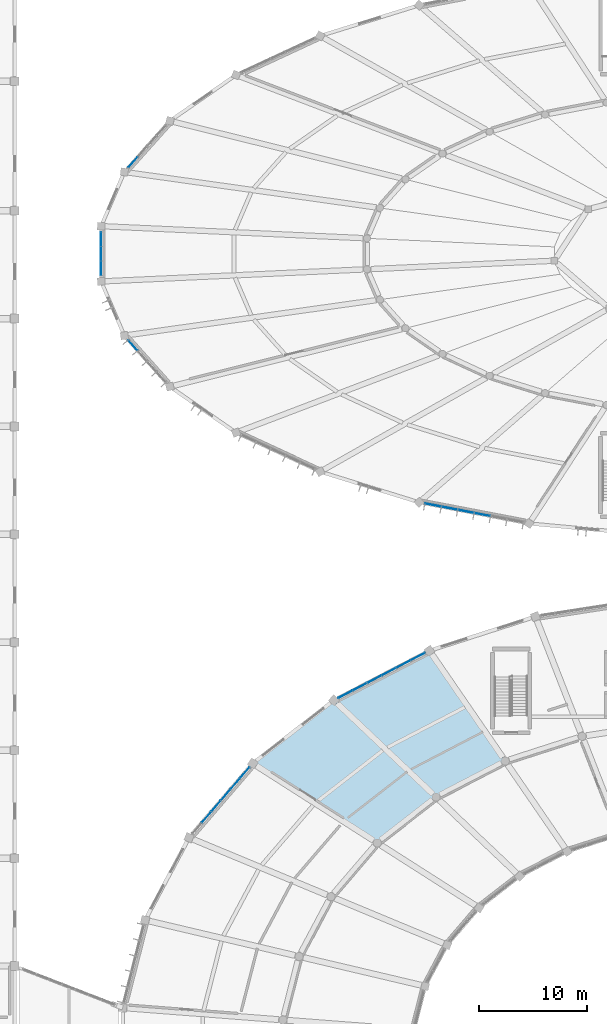
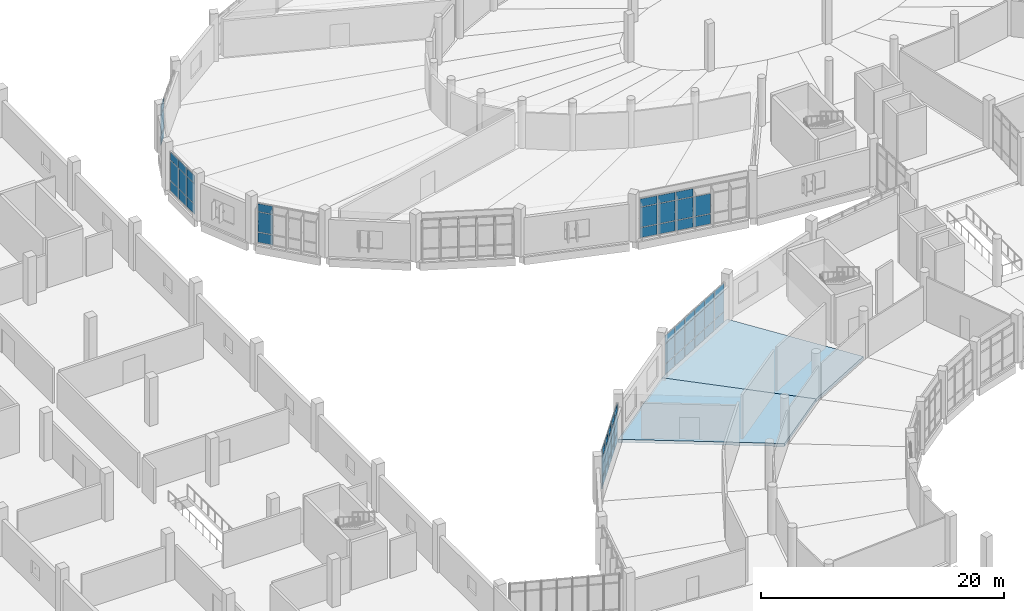
# One storey, part 92 of 179: 59 plates, 2 slabs, 6 elements without a shape of their own.
"""IFC4 building model written with IfcOpenShell, lengths in metres."""

from ifc_helpers import new_model, si_unit, direction, frame, origin, origin_2d, place, context, subcontext, project, spatial, polyline, rectangle, outline, extrude, material, layer, layer_set, type_object, element, aggregate, save


model = new_model("IFC4")

# Units and contexts
model_context = context("Model", 3, precision=1e-05, world=origin(), true_north=direction((0.0, 1.0)))
body_context = subcontext(model_context, "Body", "Model", "MODEL_VIEW")
ifc_project = project(units=[si_unit("LENGTHUNIT", "METRE"), si_unit("AREAUNIT", "SQUARE_METRE"), si_unit("VOLUMEUNIT", "CUBIC_METRE"), si_unit("PLANEANGLEUNIT", "RADIAN"), si_unit("MASSUNIT", "GRAM", prefix="KILO")], contexts=[model_context])

# Site, building, storey
site_placement = place(None, origin())
site = spatial("IfcSite", under=ifc_project, at=site_placement, CompositionType="ELEMENT")
building_placement = place(site_placement, origin())
building = spatial("IfcBuilding", under=site, at=building_placement, Name="Corvandel Quay Wholesale Market", CompositionType="ELEMENT")
storey_placement = place(building_placement, frame((0.0, 0.0, 6.0)))
storey = spatial("IfcBuildingStorey", under=building, at=storey_placement, Name="L01", CompositionType="ELEMENT", Elevation=6.0)

# Curtain wall, plates
ifc_material_1 = material(Name="Bronze anodised aluminium and low-E insulated glazing", Category="aluminium")
ifc_layer_1 = layer(ifc_material_1, 0.14990234375)
ifc_layer_set_1 = layer_set([ifc_layer_1], Name="Bronze anodised aluminium and low-E insulated glazing")
curtain_wall_type_1 = type_object("IfcCurtainWallType", Name="Stick Curtain Wall System CW15 H4350", PredefinedType="NOTDEFINED", material=ifc_layer_set_1)
curtain_wall_1_placement = place(storey_placement, origin())
curtain_wall_1 = element("IfcCurtainWall", 1, at=curtain_wall_1_placement, inside=storey, type_object=curtain_wall_type_1, Name="Curtain Wall CW-0031", PredefinedType="NOTDEFINED")
ifc_material_2 = material(Name="Solar-control low-E insulated glazing", Category="glass")
ifc_layer_2 = layer(ifc_material_2, 0.0400390625)
ifc_layer_set_2 = layer_set([ifc_layer_2], Name="Solar-control low-E insulated glazing")
plate_type_1 = type_object("IfcPlateType", Name="Ceramic Fritted Spandrel Panel PN03 40mm", PredefinedType="CURTAIN_PANEL", material=ifc_layer_set_2)
plate_1_placement = place(storey_placement, frame((87.351318359375, 78.6640625, 3.1298828125), z_axis=(0.0, 0.0, 1.0), x_axis=(0.887332978338, 0.461129250378, 0.0)))
plate_1 = element("IfcPlate", 2, at=plate_1_placement, type_object=plate_type_1, Name="Glazing Panel CW-0031-P00-2", PredefinedType="CURTAIN_PANEL", context=body_context, shape_type="SweptSolid", body=[
    extrude(rectangle(XDim=1.4462890625, YDim=0.0400390625, at=origin_2d()), origin(), (0.0, 0.0, 1.0), 0.7900390625),
])
plate_2_placement = place(storey_placement, frame((86.01025390625, 77.96728515625, 3.1298828125), z_axis=(0.0, 0.0, 1.0), x_axis=(0.887332978338, 0.461129250378, 0.0)))
plate_2 = element("IfcPlate", 3, at=plate_2_placement, type_object=plate_type_1, Name="Glazing Panel CW-0031-P01-2", PredefinedType="CURTAIN_PANEL", context=body_context, shape_type="SweptSolid", body=[
    extrude(rectangle(XDim=1.4462890625, YDim=0.0400390625, at=origin_2d()), origin(), (0.0, 0.0, 1.0), 0.7900390625),
])
plate_3_placement = place(storey_placement, frame((84.66943359375, 77.2705078125, 3.1298828125), z_axis=(0.0, 0.0, 1.0), x_axis=(0.887332978338, 0.461129250378, 0.0)))
plate_3 = element("IfcPlate", 4, at=plate_3_placement, type_object=plate_type_1, Name="Glazing Panel CW-0031-P02-2", PredefinedType="CURTAIN_PANEL", context=body_context, shape_type="SweptSolid", body=[
    extrude(rectangle(XDim=1.4462890625, YDim=0.0400390625, at=origin_2d()), origin(), (0.0, 0.0, 1.0), 0.7900390625),
])
plate_4_placement = place(storey_placement, frame((83.32861328125, 76.573486328125, 3.1298828125), z_axis=(0.0, 0.0, 1.0), x_axis=(0.887332978338, 0.461129250378, 0.0)))
plate_4 = element("IfcPlate", 5, at=plate_4_placement, type_object=plate_type_1, Name="Glazing Panel CW-0031-P03-2", PredefinedType="CURTAIN_PANEL", context=body_context, shape_type="SweptSolid", body=[
    extrude(rectangle(XDim=1.4462890625, YDim=0.0400390625, at=origin_2d()), origin(), (0.0, 0.0, 1.0), 0.7900390625),
])
plate_5_placement = place(storey_placement, frame((81.98779296875, 75.876708984375, 3.1298828125), z_axis=(0.0, 0.0, 1.0), x_axis=(0.887332978338, 0.461129250378, 0.0)))
plate_5 = element("IfcPlate", 6, at=plate_5_placement, type_object=plate_type_1, Name="Glazing Panel CW-0031-P04-2", PredefinedType="CURTAIN_PANEL", context=body_context, shape_type="SweptSolid", body=[
    extrude(rectangle(XDim=1.4462890625, YDim=0.0400390625, at=origin_2d()), origin(), (0.0, 0.0, 1.0), 0.7900390625),
])
plate_6_placement = place(storey_placement, frame((80.646728515625, 75.179931640625, 3.1298828125), z_axis=(0.0, 0.0, 1.0), x_axis=(0.887332978338, 0.461129250378, 0.0)))
plate_6 = element("IfcPlate", 7, at=plate_6_placement, type_object=plate_type_1, Name="Glazing Panel CW-0031-P05-2", PredefinedType="CURTAIN_PANEL", context=body_context, shape_type="SweptSolid", body=[
    extrude(rectangle(XDim=1.4462890625, YDim=0.0400390625, at=origin_2d()), origin(), (0.0, 0.0, 1.0), 0.7900390625),
])

ifc_layer_3 = layer(ifc_material_1, 0.174072265625)
ifc_layer_set_3 = layer_set([ifc_layer_3], Name="Bronze anodised aluminium and low-E insulated glazing")
curtain_wall_type_2 = type_object("IfcCurtainWallType", Name="Stick Curtain Wall System CW17 H4530", PredefinedType="NOTDEFINED", material=ifc_layer_set_3)
curtain_wall_2_placement = place(storey_placement, origin())
curtain_wall_2 = element("IfcCurtainWall", 8, at=curtain_wall_2_placement, inside=storey, type_object=curtain_wall_type_2, Name="Curtain Wall CW-0036", PredefinedType="NOTDEFINED")
plate_7_placement = place(storey_placement, frame((71.318115234375, 67.915283203125, 3.1298828125), z_axis=(0.0, 0.0, 1.0), x_axis=(0.651568967347, 0.758589401976, 0.0)))
plate_7 = element("IfcPlate", 9, at=plate_7_placement, type_object=plate_type_1, Name="Glazing Panel CW-0036-P00-2", PredefinedType="CURTAIN_PANEL", context=body_context, shape_type="SweptSolid", body=[
    extrude(rectangle(XDim=1.29638671875, YDim=0.0400390625, at=origin_2d()), origin(), (0.0, 0.0, 1.0), 0.7900390625),
])
plate_8_placement = place(storey_placement, frame((70.43115234375, 66.882568359375, 3.1298828125), z_axis=(0.0, 0.0, 1.0), x_axis=(0.651568967347, 0.758589401976, 0.0)))
plate_8 = element("IfcPlate", 10, at=plate_8_placement, type_object=plate_type_1, Name="Glazing Panel CW-0036-P01-2", PredefinedType="CURTAIN_PANEL", context=body_context, shape_type="SweptSolid", body=[
    extrude(rectangle(XDim=1.29638671875, YDim=0.0400390625, at=origin_2d()), origin(), (0.0, 0.0, 1.0), 0.7900390625),
])
plate_9_placement = place(storey_placement, frame((69.5439453125, 65.849853515625, 3.1298828125), z_axis=(0.0, 0.0, 1.0), x_axis=(0.651568967347, 0.758589401976, 0.0)))
plate_9 = element("IfcPlate", 11, at=plate_9_placement, type_object=plate_type_1, Name="Glazing Panel CW-0036-P02-2", PredefinedType="CURTAIN_PANEL", context=body_context, shape_type="SweptSolid", body=[
    extrude(rectangle(XDim=1.29638671875, YDim=0.0400390625, at=origin_2d()), origin(), (0.0, 0.0, 1.0), 0.7900390625),
])
plate_10_placement = place(storey_placement, frame((68.656982421875, 64.817138671875, 3.1298828125), z_axis=(0.0, 0.0, 1.0), x_axis=(0.651568967347, 0.758589401976, 0.0)))
plate_10 = element("IfcPlate", 12, at=plate_10_placement, type_object=plate_type_1, Name="Glazing Panel CW-0036-P03-2", PredefinedType="CURTAIN_PANEL", context=body_context, shape_type="SweptSolid", body=[
    extrude(rectangle(XDim=1.29638671875, YDim=0.0400390625, at=origin_2d()), origin(), (0.0, 0.0, 1.0), 0.7900390625),
])
plate_11_placement = place(storey_placement, frame((67.769775390625, 63.784423828125, 3.1298828125), z_axis=(0.0, 0.0, 1.0), x_axis=(0.651568967347, 0.758589401976, 0.0)))
plate_11 = element("IfcPlate", 13, at=plate_11_placement, type_object=plate_type_1, Name="Glazing Panel CW-0036-P04-2", PredefinedType="CURTAIN_PANEL", context=body_context, shape_type="SweptSolid", body=[
    extrude(rectangle(XDim=1.29638671875, YDim=0.0400390625, at=origin_2d()), origin(), (0.0, 0.0, 1.0), 0.7900390625),
])

# Curtain wall, plate
ifc_layer_4 = layer(ifc_material_1, 0.14990234375)
ifc_layer_set_4 = layer_set([ifc_layer_4], Name="Bronze anodised aluminium and low-E insulated glazing")
curtain_wall_type_3 = type_object("IfcCurtainWallType", Name="Stick Curtain Wall System CW20 H4800", PredefinedType="NOTDEFINED", material=ifc_layer_set_4)
curtain_wall_3_placement = place(storey_placement, origin())
curtain_wall_3 = element("IfcCurtainWall", 14, at=curtain_wall_3_placement, inside=storey, type_object=curtain_wall_type_3, Name="Curtain Wall CW-0102", PredefinedType="NOTDEFINED")
plate_12_placement = place(storey_placement, frame((60.94921875, 124.477783203125, 3.1298828125), z_axis=(0.0, 0.0, 1.0), x_axis=(0.665621202286, 0.746289766155, 0.0)))
plate_12 = element("IfcPlate", 15, at=plate_12_placement, type_object=plate_type_1, Name="Glazing Panel CW-0102-P03-2", PredefinedType="CURTAIN_PANEL", context=body_context, shape_type="SweptSolid", body=[
    extrude(rectangle(XDim=1.250244140625, YDim=0.0400390625, at=origin_2d()), origin(), (0.0, 0.0, 1.0), 0.7900390625),
])

# Curtain wall, plates
ifc_layer_5 = layer(ifc_material_1, 0.174072265625)
ifc_layer_set_5 = layer_set([ifc_layer_5], Name="Bronze anodised aluminium and low-E insulated glazing")
curtain_wall_type_4 = type_object("IfcCurtainWallType", Name="Stick Curtain Wall System CW22 H4980", PredefinedType="NOTDEFINED", material=ifc_layer_set_5)
curtain_wall_4_placement = place(storey_placement, origin())
curtain_wall_4 = element("IfcCurtainWall", 16, at=curtain_wall_4_placement, inside=storey, type_object=curtain_wall_type_4, Name="Curtain Wall CW-0104", PredefinedType="NOTDEFINED")
plate_13_placement = place(storey_placement, frame((58.0, 117.347412109375, 3.1298828125), z_axis=(0.0, 0.0, 1.0), x_axis=(0.0, 1.0, 0.0)))
plate_13 = element("IfcPlate", 17, at=plate_13_placement, type_object=plate_type_1, Name="Glazing Panel CW-0104-P00-2", PredefinedType="CURTAIN_PANEL", context=body_context, shape_type="SweptSolid", body=[
    extrude(rectangle(XDim=1.2822265625, YDim=0.0400390625, at=origin_2d()), origin(), (0.0, 0.0, 1.0), 0.7900390625),
])
plate_14_placement = place(storey_placement, frame((58.0, 116.0, 3.1298828125), z_axis=(0.0, 0.0, 1.0), x_axis=(0.0, 1.0, 0.0)))
plate_14 = element("IfcPlate", 18, at=plate_14_placement, type_object=plate_type_1, Name="Glazing Panel CW-0104-P01-2", PredefinedType="CURTAIN_PANEL", context=body_context, shape_type="SweptSolid", body=[
    extrude(rectangle(XDim=1.2822265625, YDim=0.0400390625, at=origin_2d()), origin(), (0.0, 0.0, 1.0), 0.7900390625),
])
plate_15_placement = place(storey_placement, frame((58.0, 114.652587890625, 3.1298828125), z_axis=(0.0, 0.0, 1.0), x_axis=(0.0, 1.0, 0.0)))
plate_15 = element("IfcPlate", 19, at=plate_15_placement, type_object=plate_type_1, Name="Glazing Panel CW-0104-P02-2", PredefinedType="CURTAIN_PANEL", context=body_context, shape_type="SweptSolid", body=[
    extrude(rectangle(XDim=1.2822265625, YDim=0.0400390625, at=origin_2d()), origin(), (0.0, 0.0, 1.0), 0.7900390625),
])

# Curtain wall, plate
ifc_layer_6 = layer(ifc_material_1, 0.197998046875)
ifc_layer_set_6 = layer_set([ifc_layer_6], Name="Bronze anodised aluminium and low-E insulated glazing")
curtain_wall_type_5 = type_object("IfcCurtainWallType", Name="Stick Curtain Wall System CW24 H5160", PredefinedType="NOTDEFINED", material=ifc_layer_set_6)
curtain_wall_5_placement = place(storey_placement, origin())
curtain_wall_5 = element("IfcCurtainWall", 20, at=curtain_wall_5_placement, inside=storey, type_object=curtain_wall_type_5, Name="Curtain Wall CW-0105", PredefinedType="NOTDEFINED")
plate_16_placement = place(storey_placement, frame((60.94921875, 107.522216796875, 3.1298828125), z_axis=(0.0, 0.0, 1.0), x_axis=(-0.665621202286, 0.746289766155, 0.0)))
plate_16 = element("IfcPlate", 21, at=plate_16_placement, type_object=plate_type_1, Name="Glazing Panel CW-0105-P00-2", PredefinedType="CURTAIN_PANEL", context=body_context, shape_type="SweptSolid", body=[
    extrude(rectangle(XDim=1.250244140625, YDim=0.0400390625, at=origin_2d()), origin(), (0.0, 0.0, 1.0), 0.7900390625),
])

# Curtain wall, plates
ifc_layer_7 = layer(ifc_material_1, 0.18603515625)
ifc_layer_set_7 = layer_set([ifc_layer_7], Name="Bronze anodised aluminium and low-E insulated glazing")
curtain_wall_type_6 = type_object("IfcCurtainWallType", Name="Stick Curtain Wall System CW28 H5520", PredefinedType="NOTDEFINED", material=ifc_layer_set_7)
curtain_wall_6_placement = place(storey_placement, origin())
curtain_wall_6 = element("IfcCurtainWall", 22, at=curtain_wall_6_placement, inside=storey, type_object=curtain_wall_type_6, Name="Curtain Wall CW-0109", PredefinedType="NOTDEFINED")
plate_17_placement = place(storey_placement, frame((88.76513671875, 92.710693359375, 3.1298828125), z_axis=(0.0, 0.0, 1.0), x_axis=(-0.981991701121, 0.188924055984, 0.0)))
plate_17 = element("IfcPlate", 23, at=plate_17_placement, type_object=plate_type_1, Name="Glazing Panel CW-0109-P00-2", PredefinedType="CURTAIN_PANEL", context=body_context, shape_type="SweptSolid", body=[
    extrude(rectangle(XDim=1.484619140625, YDim=0.0400390625, at=origin_2d()), origin(), (0.0, 0.0, 1.0), 0.7900390625),
])
plate_18_placement = place(storey_placement, frame((90.286865234375, 92.41796875, 3.1298828125), z_axis=(0.0, 0.0, 1.0), x_axis=(-0.981991701121, 0.188924055984, 0.0)))
plate_18 = element("IfcPlate", 24, at=plate_18_placement, type_object=plate_type_1, Name="Glazing Panel CW-0109-P01-2", PredefinedType="CURTAIN_PANEL", context=body_context, shape_type="SweptSolid", body=[
    extrude(rectangle(XDim=1.484619140625, YDim=0.0400390625, at=origin_2d()), origin(), (0.0, 0.0, 1.0), 0.7900390625),
])
plate_19_placement = place(storey_placement, frame((91.80859375, 92.125244140625, 3.1298828125), z_axis=(0.0, 0.0, 1.0), x_axis=(-0.981991701121, 0.188924055984, 0.0)))
plate_19 = element("IfcPlate", 25, at=plate_19_placement, type_object=plate_type_1, Name="Glazing Panel CW-0109-P02-2", PredefinedType="CURTAIN_PANEL", context=body_context, shape_type="SweptSolid", body=[
    extrude(rectangle(XDim=1.484619140625, YDim=0.0400390625, at=origin_2d()), origin(), (0.0, 0.0, 1.0), 0.7900390625),
])

# Slabs
ifc_material_3 = material(Name="Concrete C40/50", Category="concrete")
ifc_layer_8 = layer(ifc_material_3, 0.300048828125)
ifc_layer_set_8 = layer_set([ifc_layer_8], Name="Concrete C40/50")
slab_type = type_object("IfcSlabType", Name="Composite Trading Gallery Floor Slab 300", PredefinedType="FLOOR", material=ifc_layer_set_8)
slab_1_placement = place(storey_placement, frame((0.0, 0.0, -0.300048828125)))
element("IfcSlab", 26, at=slab_1_placement, inside=storey, type_object=slab_type, Name="Slab SLB-0054", PredefinedType="FLOOR", context=body_context, shape_type="SweptSolid", body=[
    extrude(outline(polyline([(95.4560546875, 68.98388671875), (89.04296875, 65.652099609375), (79.576904296875, 74.6240234375), (88.4208984375, 79.219970703125), (95.4560546875, 68.98388671875)])), origin(), (0.0, 0.0, 1.0), 0.300048828125),
])
slab_2_placement = place(storey_placement, frame((0.0, 0.0, -0.300048828125)))
element("IfcSlab", 27, at=slab_2_placement, inside=storey, type_object=slab_type, Name="Slab SLB-0059", PredefinedType="FLOOR", context=body_context, shape_type="SweptSolid", body=[
    extrude(outline(polyline([(89.04296875, 65.652099609375), (83.590087890625, 61.410888671875), (72.054931640625, 68.77294921875), (79.576904296875, 74.6240234375), (89.04296875, 65.652099609375)])), origin(), (0.0, 0.0, 1.0), 0.300048828125),
])

# Plate
ifc_layer_9 = layer(ifc_material_2, 0.028076171875)
ifc_layer_set_9 = layer_set([ifc_layer_9], Name="Solar-control low-E insulated glazing")
plate_type_2 = type_object("IfcPlateType", Name="Double Low-E Vision Panel PN01 28mm", PredefinedType="CURTAIN_PANEL", material=ifc_layer_set_9)
plate_20_placement = place(storey_placement, frame((87.351318359375, 78.6640625, 0.02978515625), z_axis=(0.0, 0.0, 1.0), x_axis=(0.887332978338, 0.461129250378, 0.0)))
plate_20 = element("IfcPlate", 28, at=plate_20_placement, type_object=plate_type_2, Name="Glazing Panel CW-0031-P00-0", PredefinedType="CURTAIN_PANEL", context=body_context, shape_type="SweptSolid", body=[
    extrude(rectangle(XDim=1.4462890625, YDim=0.028076171875, at=origin_2d()), origin(), (0.0, 0.0, 1.0), 0.989990234375),
])

plate_21_placement = place(storey_placement, frame((87.351318359375, 78.6640625, 1.080078125), z_axis=(0.0, 0.0, 1.0), x_axis=(0.887332978338, 0.461129250378, 0.0)))
plate_21 = element("IfcPlate", 29, at=plate_21_placement, type_object=plate_type_2, Name="Glazing Panel CW-0031-P00-1", PredefinedType="CURTAIN_PANEL", context=body_context, shape_type="SweptSolid", body=[
    extrude(rectangle(XDim=1.4462890625, YDim=0.028076171875, at=origin_2d()), origin(), (0.0, 0.0, 1.0), 1.989990234375),
])

plate_22_placement = place(storey_placement, frame((86.01025390625, 77.96728515625, 0.02978515625), z_axis=(0.0, 0.0, 1.0), x_axis=(0.887332978338, 0.461129250378, 0.0)))
plate_22 = element("IfcPlate", 30, at=plate_22_placement, type_object=plate_type_2, Name="Glazing Panel CW-0031-P01-0", PredefinedType="CURTAIN_PANEL", context=body_context, shape_type="SweptSolid", body=[
    extrude(rectangle(XDim=1.4462890625, YDim=0.028076171875, at=origin_2d()), origin(), (0.0, 0.0, 1.0), 0.989990234375),
])

plate_23_placement = place(storey_placement, frame((86.01025390625, 77.96728515625, 1.080078125), z_axis=(0.0, 0.0, 1.0), x_axis=(0.887332978338, 0.461129250378, 0.0)))
plate_23 = element("IfcPlate", 31, at=plate_23_placement, type_object=plate_type_2, Name="Glazing Panel CW-0031-P01-1", PredefinedType="CURTAIN_PANEL", context=body_context, shape_type="SweptSolid", body=[
    extrude(rectangle(XDim=1.4462890625, YDim=0.028076171875, at=origin_2d()), origin(), (0.0, 0.0, 1.0), 1.989990234375),
])

plate_24_placement = place(storey_placement, frame((84.66943359375, 77.2705078125, 0.02978515625), z_axis=(0.0, 0.0, 1.0), x_axis=(0.887332978338, 0.461129250378, 0.0)))
plate_24 = element("IfcPlate", 32, at=plate_24_placement, type_object=plate_type_2, Name="Glazing Panel CW-0031-P02-0", PredefinedType="CURTAIN_PANEL", context=body_context, shape_type="SweptSolid", body=[
    extrude(rectangle(XDim=1.4462890625, YDim=0.028076171875, at=origin_2d()), origin(), (0.0, 0.0, 1.0), 0.989990234375),
])

plate_25_placement = place(storey_placement, frame((84.66943359375, 77.2705078125, 1.080078125), z_axis=(0.0, 0.0, 1.0), x_axis=(0.887332978338, 0.461129250378, 0.0)))
plate_25 = element("IfcPlate", 33, at=plate_25_placement, type_object=plate_type_2, Name="Glazing Panel CW-0031-P02-1", PredefinedType="CURTAIN_PANEL", context=body_context, shape_type="SweptSolid", body=[
    extrude(rectangle(XDim=1.4462890625, YDim=0.028076171875, at=origin_2d()), origin(), (0.0, 0.0, 1.0), 1.989990234375),
])

plate_26_placement = place(storey_placement, frame((83.32861328125, 76.573486328125, 0.02978515625), z_axis=(0.0, 0.0, 1.0), x_axis=(0.887332978338, 0.461129250378, 0.0)))
plate_26 = element("IfcPlate", 34, at=plate_26_placement, type_object=plate_type_2, Name="Glazing Panel CW-0031-P03-0", PredefinedType="CURTAIN_PANEL", context=body_context, shape_type="SweptSolid", body=[
    extrude(rectangle(XDim=1.4462890625, YDim=0.028076171875, at=origin_2d()), origin(), (0.0, 0.0, 1.0), 0.989990234375),
])

plate_27_placement = place(storey_placement, frame((83.32861328125, 76.573486328125, 1.080078125), z_axis=(0.0, 0.0, 1.0), x_axis=(0.887332978338, 0.461129250378, 0.0)))
plate_27 = element("IfcPlate", 35, at=plate_27_placement, type_object=plate_type_2, Name="Glazing Panel CW-0031-P03-1", PredefinedType="CURTAIN_PANEL", context=body_context, shape_type="SweptSolid", body=[
    extrude(rectangle(XDim=1.4462890625, YDim=0.028076171875, at=origin_2d()), origin(), (0.0, 0.0, 1.0), 1.989990234375),
])

plate_28_placement = place(storey_placement, frame((81.98779296875, 75.876708984375, 0.02978515625), z_axis=(0.0, 0.0, 1.0), x_axis=(0.887332978338, 0.461129250378, 0.0)))
plate_28 = element("IfcPlate", 36, at=plate_28_placement, type_object=plate_type_2, Name="Glazing Panel CW-0031-P04-0", PredefinedType="CURTAIN_PANEL", context=body_context, shape_type="SweptSolid", body=[
    extrude(rectangle(XDim=1.4462890625, YDim=0.028076171875, at=origin_2d()), origin(), (0.0, 0.0, 1.0), 0.989990234375),
])

plate_29_placement = place(storey_placement, frame((81.98779296875, 75.876708984375, 1.080078125), z_axis=(0.0, 0.0, 1.0), x_axis=(0.887332978338, 0.461129250378, 0.0)))
plate_29 = element("IfcPlate", 37, at=plate_29_placement, type_object=plate_type_2, Name="Glazing Panel CW-0031-P04-1", PredefinedType="CURTAIN_PANEL", context=body_context, shape_type="SweptSolid", body=[
    extrude(rectangle(XDim=1.4462890625, YDim=0.028076171875, at=origin_2d()), origin(), (0.0, 0.0, 1.0), 1.989990234375),
])

plate_30_placement = place(storey_placement, frame((80.646728515625, 75.179931640625, 0.02978515625), z_axis=(0.0, 0.0, 1.0), x_axis=(0.887332978338, 0.461129250378, 0.0)))
plate_30 = element("IfcPlate", 38, at=plate_30_placement, type_object=plate_type_2, Name="Glazing Panel CW-0031-P05-0", PredefinedType="CURTAIN_PANEL", context=body_context, shape_type="SweptSolid", body=[
    extrude(rectangle(XDim=1.4462890625, YDim=0.028076171875, at=origin_2d()), origin(), (0.0, 0.0, 1.0), 0.989990234375),
])

plate_31_placement = place(storey_placement, frame((80.646728515625, 75.179931640625, 1.080078125), z_axis=(0.0, 0.0, 1.0), x_axis=(0.887332978338, 0.461129250378, 0.0)))
plate_31 = element("IfcPlate", 39, at=plate_31_placement, type_object=plate_type_2, Name="Glazing Panel CW-0031-P05-1", PredefinedType="CURTAIN_PANEL", context=body_context, shape_type="SweptSolid", body=[
    extrude(rectangle(XDim=1.4462890625, YDim=0.028076171875, at=origin_2d()), origin(), (0.0, 0.0, 1.0), 1.989990234375),
])

aggregate(curtain_wall_1, [plate_20, plate_21, plate_1, plate_22, plate_23, plate_2, plate_24, plate_25, plate_3, plate_26, plate_27, plate_4, plate_28, plate_29, plate_5, plate_30, plate_31, plate_6])

plate_32_placement = place(storey_placement, frame((71.318115234375, 67.915283203125, 0.02978515625), z_axis=(0.0, 0.0, 1.0), x_axis=(0.651568967347, 0.758589401976, 0.0)))
plate_32 = element("IfcPlate", 40, at=plate_32_placement, type_object=plate_type_2, Name="Glazing Panel CW-0036-P00-0", PredefinedType="CURTAIN_PANEL", context=body_context, shape_type="SweptSolid", body=[
    extrude(rectangle(XDim=1.29638671875, YDim=0.028076171875, at=origin_2d()), origin(), (0.0, 0.0, 1.0), 0.989990234375),
])

plate_33_placement = place(storey_placement, frame((71.318115234375, 67.915283203125, 1.080078125), z_axis=(0.0, 0.0, 1.0), x_axis=(0.651568967347, 0.758589401976, 0.0)))
plate_33 = element("IfcPlate", 41, at=plate_33_placement, type_object=plate_type_2, Name="Glazing Panel CW-0036-P00-1", PredefinedType="CURTAIN_PANEL", context=body_context, shape_type="SweptSolid", body=[
    extrude(rectangle(XDim=1.29638671875, YDim=0.028076171875, at=origin_2d()), origin(), (0.0, 0.0, 1.0), 1.989990234375),
])

plate_34_placement = place(storey_placement, frame((70.43115234375, 66.882568359375, 0.02978515625), z_axis=(0.0, 0.0, 1.0), x_axis=(0.651568967347, 0.758589401976, 0.0)))
plate_34 = element("IfcPlate", 42, at=plate_34_placement, type_object=plate_type_2, Name="Glazing Panel CW-0036-P01-0", PredefinedType="CURTAIN_PANEL", context=body_context, shape_type="SweptSolid", body=[
    extrude(rectangle(XDim=1.29638671875, YDim=0.028076171875, at=origin_2d()), origin(), (0.0, 0.0, 1.0), 0.989990234375),
])

plate_35_placement = place(storey_placement, frame((70.43115234375, 66.882568359375, 1.080078125), z_axis=(0.0, 0.0, 1.0), x_axis=(0.651568967347, 0.758589401976, 0.0)))
plate_35 = element("IfcPlate", 43, at=plate_35_placement, type_object=plate_type_2, Name="Glazing Panel CW-0036-P01-1", PredefinedType="CURTAIN_PANEL", context=body_context, shape_type="SweptSolid", body=[
    extrude(rectangle(XDim=1.29638671875, YDim=0.028076171875, at=origin_2d()), origin(), (0.0, 0.0, 1.0), 1.989990234375),
])

plate_36_placement = place(storey_placement, frame((69.5439453125, 65.849853515625, 0.02978515625), z_axis=(0.0, 0.0, 1.0), x_axis=(0.651568967347, 0.758589401976, 0.0)))
plate_36 = element("IfcPlate", 44, at=plate_36_placement, type_object=plate_type_2, Name="Glazing Panel CW-0036-P02-0", PredefinedType="CURTAIN_PANEL", context=body_context, shape_type="SweptSolid", body=[
    extrude(rectangle(XDim=1.29638671875, YDim=0.028076171875, at=origin_2d()), origin(), (0.0, 0.0, 1.0), 0.989990234375),
])

plate_37_placement = place(storey_placement, frame((69.5439453125, 65.849853515625, 1.080078125), z_axis=(0.0, 0.0, 1.0), x_axis=(0.651568967347, 0.758589401976, 0.0)))
plate_37 = element("IfcPlate", 45, at=plate_37_placement, type_object=plate_type_2, Name="Glazing Panel CW-0036-P02-1", PredefinedType="CURTAIN_PANEL", context=body_context, shape_type="SweptSolid", body=[
    extrude(rectangle(XDim=1.29638671875, YDim=0.028076171875, at=origin_2d()), origin(), (0.0, 0.0, 1.0), 1.989990234375),
])

plate_38_placement = place(storey_placement, frame((68.656982421875, 64.817138671875, 0.02978515625), z_axis=(0.0, 0.0, 1.0), x_axis=(0.651568967347, 0.758589401976, 0.0)))
plate_38 = element("IfcPlate", 46, at=plate_38_placement, type_object=plate_type_2, Name="Glazing Panel CW-0036-P03-0", PredefinedType="CURTAIN_PANEL", context=body_context, shape_type="SweptSolid", body=[
    extrude(rectangle(XDim=1.29638671875, YDim=0.028076171875, at=origin_2d()), origin(), (0.0, 0.0, 1.0), 0.989990234375),
])

plate_39_placement = place(storey_placement, frame((68.656982421875, 64.817138671875, 1.080078125), z_axis=(0.0, 0.0, 1.0), x_axis=(0.651568967347, 0.758589401976, 0.0)))
plate_39 = element("IfcPlate", 47, at=plate_39_placement, type_object=plate_type_2, Name="Glazing Panel CW-0036-P03-1", PredefinedType="CURTAIN_PANEL", context=body_context, shape_type="SweptSolid", body=[
    extrude(rectangle(XDim=1.29638671875, YDim=0.028076171875, at=origin_2d()), origin(), (0.0, 0.0, 1.0), 1.989990234375),
])

plate_40_placement = place(storey_placement, frame((67.769775390625, 63.784423828125, 0.02978515625), z_axis=(0.0, 0.0, 1.0), x_axis=(0.651568967347, 0.758589401976, 0.0)))
plate_40 = element("IfcPlate", 48, at=plate_40_placement, type_object=plate_type_2, Name="Glazing Panel CW-0036-P04-0", PredefinedType="CURTAIN_PANEL", context=body_context, shape_type="SweptSolid", body=[
    extrude(rectangle(XDim=1.29638671875, YDim=0.028076171875, at=origin_2d()), origin(), (0.0, 0.0, 1.0), 0.989990234375),
])

plate_41_placement = place(storey_placement, frame((67.769775390625, 63.784423828125, 1.080078125), z_axis=(0.0, 0.0, 1.0), x_axis=(0.651568967347, 0.758589401976, 0.0)))
plate_41 = element("IfcPlate", 49, at=plate_41_placement, type_object=plate_type_2, Name="Glazing Panel CW-0036-P04-1", PredefinedType="CURTAIN_PANEL", context=body_context, shape_type="SweptSolid", body=[
    extrude(rectangle(XDim=1.29638671875, YDim=0.028076171875, at=origin_2d()), origin(), (0.0, 0.0, 1.0), 1.989990234375),
])

aggregate(curtain_wall_2, [plate_32, plate_33, plate_7, plate_34, plate_35, plate_8, plate_36, plate_37, plate_9, plate_38, plate_39, plate_10, plate_40, plate_41, plate_11])

plate_42_placement = place(storey_placement, frame((60.94921875, 124.477783203125, 0.02978515625), z_axis=(0.0, 0.0, 1.0), x_axis=(0.665621202286, 0.746289766155, 0.0)))
plate_42 = element("IfcPlate", 50, at=plate_42_placement, type_object=plate_type_2, Name="Glazing Panel CW-0102-P03-0", PredefinedType="CURTAIN_PANEL", context=body_context, shape_type="SweptSolid", body=[
    extrude(rectangle(XDim=1.250244140625, YDim=0.028076171875, at=origin_2d()), origin(), (0.0, 0.0, 1.0), 0.989990234375),
])

plate_43_placement = place(storey_placement, frame((60.94921875, 124.477783203125, 1.080078125), z_axis=(0.0, 0.0, 1.0), x_axis=(0.665621202286, 0.746289766155, 0.0)))
plate_43 = element("IfcPlate", 51, at=plate_43_placement, type_object=plate_type_2, Name="Glazing Panel CW-0102-P03-1", PredefinedType="CURTAIN_PANEL", context=body_context, shape_type="SweptSolid", body=[
    extrude(rectangle(XDim=1.250244140625, YDim=0.028076171875, at=origin_2d()), origin(), (0.0, 0.0, 1.0), 1.989990234375),
])

aggregate(curtain_wall_3, [plate_42, plate_43, plate_12])

plate_44_placement = place(storey_placement, frame((58.0, 117.347412109375, 0.02978515625), z_axis=(0.0, 0.0, 1.0), x_axis=(0.0, 1.0, 0.0)))
plate_44 = element("IfcPlate", 52, at=plate_44_placement, type_object=plate_type_2, Name="Glazing Panel CW-0104-P00-0", PredefinedType="CURTAIN_PANEL", context=body_context, shape_type="SweptSolid", body=[
    extrude(rectangle(XDim=1.2822265625, YDim=0.028076171875, at=origin_2d()), origin(), (0.0, 0.0, 1.0), 0.989990234375),
])

plate_45_placement = place(storey_placement, frame((58.0, 117.347412109375, 1.080078125), z_axis=(0.0, 0.0, 1.0), x_axis=(0.0, 1.0, 0.0)))
plate_45 = element("IfcPlate", 53, at=plate_45_placement, type_object=plate_type_2, Name="Glazing Panel CW-0104-P00-1", PredefinedType="CURTAIN_PANEL", context=body_context, shape_type="SweptSolid", body=[
    extrude(rectangle(XDim=1.2822265625, YDim=0.028076171875, at=origin_2d()), origin(), (0.0, 0.0, 1.0), 1.989990234375),
])

plate_46_placement = place(storey_placement, frame((58.0, 116.0, 0.02978515625), z_axis=(0.0, 0.0, 1.0), x_axis=(0.0, 1.0, 0.0)))
plate_46 = element("IfcPlate", 54, at=plate_46_placement, type_object=plate_type_2, Name="Glazing Panel CW-0104-P01-0", PredefinedType="CURTAIN_PANEL", context=body_context, shape_type="SweptSolid", body=[
    extrude(rectangle(XDim=1.2822265625, YDim=0.028076171875, at=origin_2d()), origin(), (0.0, 0.0, 1.0), 0.989990234375),
])

plate_47_placement = place(storey_placement, frame((58.0, 116.0, 1.080078125), z_axis=(0.0, 0.0, 1.0), x_axis=(0.0, 1.0, 0.0)))
plate_47 = element("IfcPlate", 55, at=plate_47_placement, type_object=plate_type_2, Name="Glazing Panel CW-0104-P01-1", PredefinedType="CURTAIN_PANEL", context=body_context, shape_type="SweptSolid", body=[
    extrude(rectangle(XDim=1.2822265625, YDim=0.028076171875, at=origin_2d()), origin(), (0.0, 0.0, 1.0), 1.989990234375),
])

plate_48_placement = place(storey_placement, frame((58.0, 114.652587890625, 0.02978515625), z_axis=(0.0, 0.0, 1.0), x_axis=(0.0, 1.0, 0.0)))
plate_48 = element("IfcPlate", 56, at=plate_48_placement, type_object=plate_type_2, Name="Glazing Panel CW-0104-P02-0", PredefinedType="CURTAIN_PANEL", context=body_context, shape_type="SweptSolid", body=[
    extrude(rectangle(XDim=1.2822265625, YDim=0.028076171875, at=origin_2d()), origin(), (0.0, 0.0, 1.0), 0.989990234375),
])

plate_49_placement = place(storey_placement, frame((58.0, 114.652587890625, 1.080078125), z_axis=(0.0, 0.0, 1.0), x_axis=(0.0, 1.0, 0.0)))
plate_49 = element("IfcPlate", 57, at=plate_49_placement, type_object=plate_type_2, Name="Glazing Panel CW-0104-P02-1", PredefinedType="CURTAIN_PANEL", context=body_context, shape_type="SweptSolid", body=[
    extrude(rectangle(XDim=1.2822265625, YDim=0.028076171875, at=origin_2d()), origin(), (0.0, 0.0, 1.0), 1.989990234375),
])

aggregate(curtain_wall_4, [plate_44, plate_45, plate_13, plate_46, plate_47, plate_14, plate_48, plate_49, plate_15])

plate_50_placement = place(storey_placement, frame((60.94921875, 107.522216796875, 0.02978515625), z_axis=(0.0, 0.0, 1.0), x_axis=(-0.665621202286, 0.746289766155, 0.0)))
plate_50 = element("IfcPlate", 58, at=plate_50_placement, type_object=plate_type_2, Name="Glazing Panel CW-0105-P00-0", PredefinedType="CURTAIN_PANEL", context=body_context, shape_type="SweptSolid", body=[
    extrude(rectangle(XDim=1.250244140625, YDim=0.028076171875, at=origin_2d()), origin(), (0.0, 0.0, 1.0), 0.989990234375),
])

plate_51_placement = place(storey_placement, frame((60.94921875, 107.522216796875, 1.080078125), z_axis=(0.0, 0.0, 1.0), x_axis=(-0.665621202286, 0.746289766155, 0.0)))
plate_51 = element("IfcPlate", 59, at=plate_51_placement, type_object=plate_type_2, Name="Glazing Panel CW-0105-P00-1", PredefinedType="CURTAIN_PANEL", context=body_context, shape_type="SweptSolid", body=[
    extrude(rectangle(XDim=1.250244140625, YDim=0.028076171875, at=origin_2d()), origin(), (0.0, 0.0, 1.0), 1.989990234375),
])

aggregate(curtain_wall_5, [plate_50, plate_51, plate_16])

plate_52_placement = place(storey_placement, frame((88.76513671875, 92.710693359375, 0.02978515625), z_axis=(0.0, 0.0, 1.0), x_axis=(-0.981991701121, 0.188924055984, 0.0)))
plate_52 = element("IfcPlate", 60, at=plate_52_placement, type_object=plate_type_2, Name="Glazing Panel CW-0109-P00-0", PredefinedType="CURTAIN_PANEL", context=body_context, shape_type="SweptSolid", body=[
    extrude(rectangle(XDim=1.484619140625, YDim=0.028076171875, at=origin_2d()), origin(), (0.0, 0.0, 1.0), 0.989990234375),
])

plate_53_placement = place(storey_placement, frame((88.76513671875, 92.710693359375, 1.080078125), z_axis=(0.0, 0.0, 1.0), x_axis=(-0.981991701121, 0.188924055984, 0.0)))
plate_53 = element("IfcPlate", 61, at=plate_53_placement, type_object=plate_type_2, Name="Glazing Panel CW-0109-P00-1", PredefinedType="CURTAIN_PANEL", context=body_context, shape_type="SweptSolid", body=[
    extrude(rectangle(XDim=1.484619140625, YDim=0.028076171875, at=origin_2d()), origin(), (0.0, 0.0, 1.0), 1.989990234375),
])

plate_54_placement = place(storey_placement, frame((90.286865234375, 92.41796875, 0.02978515625), z_axis=(0.0, 0.0, 1.0), x_axis=(-0.981991701121, 0.188924055984, 0.0)))
plate_54 = element("IfcPlate", 62, at=plate_54_placement, type_object=plate_type_2, Name="Glazing Panel CW-0109-P01-0", PredefinedType="CURTAIN_PANEL", context=body_context, shape_type="SweptSolid", body=[
    extrude(rectangle(XDim=1.484619140625, YDim=0.028076171875, at=origin_2d()), origin(), (0.0, 0.0, 1.0), 0.989990234375),
])

plate_55_placement = place(storey_placement, frame((90.286865234375, 92.41796875, 1.080078125), z_axis=(0.0, 0.0, 1.0), x_axis=(-0.981991701121, 0.188924055984, 0.0)))
plate_55 = element("IfcPlate", 63, at=plate_55_placement, type_object=plate_type_2, Name="Glazing Panel CW-0109-P01-1", PredefinedType="CURTAIN_PANEL", context=body_context, shape_type="SweptSolid", body=[
    extrude(rectangle(XDim=1.484619140625, YDim=0.028076171875, at=origin_2d()), origin(), (0.0, 0.0, 1.0), 1.989990234375),
])

plate_56_placement = place(storey_placement, frame((91.80859375, 92.125244140625, 0.02978515625), z_axis=(0.0, 0.0, 1.0), x_axis=(-0.981991701121, 0.188924055984, 0.0)))
plate_56 = element("IfcPlate", 64, at=plate_56_placement, type_object=plate_type_2, Name="Glazing Panel CW-0109-P02-0", PredefinedType="CURTAIN_PANEL", context=body_context, shape_type="SweptSolid", body=[
    extrude(rectangle(XDim=1.484619140625, YDim=0.028076171875, at=origin_2d()), origin(), (0.0, 0.0, 1.0), 0.989990234375),
])

plate_57_placement = place(storey_placement, frame((91.80859375, 92.125244140625, 1.080078125), z_axis=(0.0, 0.0, 1.0), x_axis=(-0.981991701121, 0.188924055984, 0.0)))
plate_57 = element("IfcPlate", 65, at=plate_57_placement, type_object=plate_type_2, Name="Glazing Panel CW-0109-P02-1", PredefinedType="CURTAIN_PANEL", context=body_context, shape_type="SweptSolid", body=[
    extrude(rectangle(XDim=1.484619140625, YDim=0.028076171875, at=origin_2d()), origin(), (0.0, 0.0, 1.0), 1.989990234375),
])

plate_58_placement = place(storey_placement, frame((93.330322265625, 91.832763671875, 0.02978515625), z_axis=(0.0, 0.0, 1.0), x_axis=(-0.981991701121, 0.188924055984, 0.0)))
plate_58 = element("IfcPlate", 66, at=plate_58_placement, type_object=plate_type_2, Name="Glazing Panel CW-0109-P03-0", PredefinedType="CURTAIN_PANEL", context=body_context, shape_type="SweptSolid", body=[
    extrude(rectangle(XDim=1.484619140625, YDim=0.028076171875, at=origin_2d()), origin(), (0.0, 0.0, 1.0), 0.989990234375),
])

plate_59_placement = place(storey_placement, frame((93.330322265625, 91.832763671875, 1.080078125), z_axis=(0.0, 0.0, 1.0), x_axis=(-0.981991701121, 0.188924055984, 0.0)))
plate_59 = element("IfcPlate", 67, at=plate_59_placement, type_object=plate_type_2, Name="Glazing Panel CW-0109-P03-1", PredefinedType="CURTAIN_PANEL", context=body_context, shape_type="SweptSolid", body=[
    extrude(rectangle(XDim=1.484619140625, YDim=0.028076171875, at=origin_2d()), origin(), (0.0, 0.0, 1.0), 1.989990234375),
])

aggregate(curtain_wall_6, [plate_52, plate_53, plate_17, plate_54, plate_55, plate_18, plate_56, plate_57, plate_19, plate_58, plate_59])

save(model, "model.ifc")
